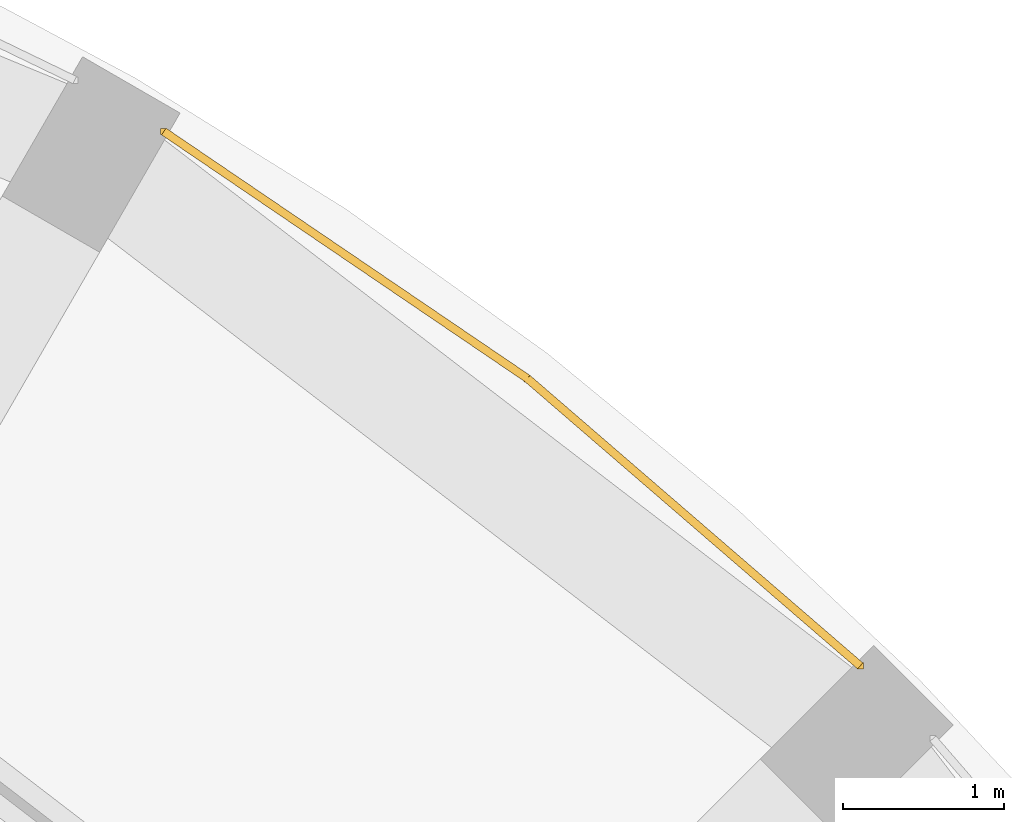
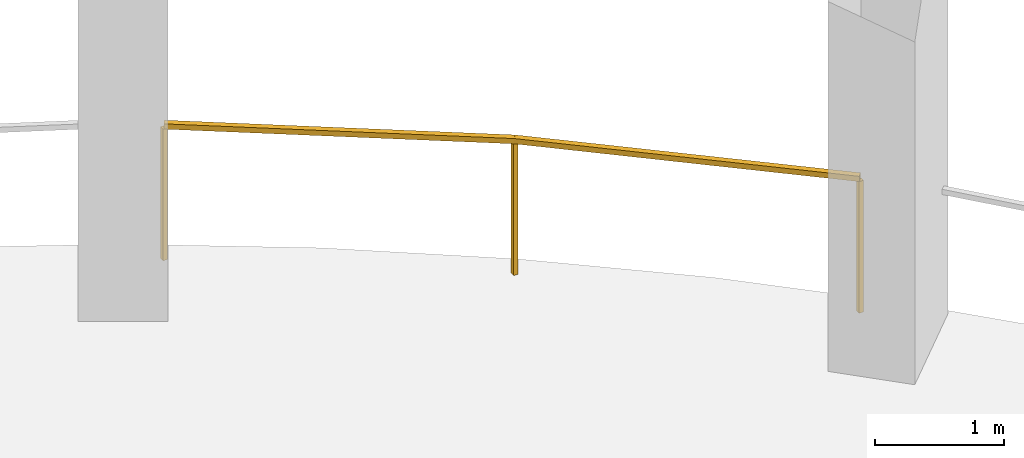
# One storey, part 8 of 8: 1 railing.
"""IFC4 building model written with IfcOpenShell, lengths in metres."""

from ifc_helpers import new_model, si_unit, direction, frame, origin, origin_2d, place, context, subcontext, project, spatial, rectangle, extrude, material, type_object, element, save


model = new_model("IFC4")

# Units and contexts
model_context = context("Model", 3, precision=1e-05, world=origin(), true_north=direction((0.0, 1.0)))
body_context = subcontext(model_context, "Body", "Model", "MODEL_VIEW")
ifc_project = project(units=[si_unit("LENGTHUNIT", "METRE"), si_unit("AREAUNIT", "SQUARE_METRE"), si_unit("VOLUMEUNIT", "CUBIC_METRE"), si_unit("PLANEANGLEUNIT", "RADIAN"), si_unit("MASSUNIT", "GRAM", prefix="KILO")], contexts=[model_context])

# Site, building, storey
site_placement = place(None, origin())
site = spatial("IfcSite", under=ifc_project, at=site_placement, CompositionType="ELEMENT")
building_placement = place(site_placement, origin())
building = spatial("IfcBuilding", under=site, at=building_placement, Name="Torre Triforio", CompositionType="ELEMENT")
storey_placement = place(building_placement, frame((0.0, 0.0, 203.89990234375)))
storey = spatial("IfcBuildingStorey", under=building, at=storey_placement, Name="L46", CompositionType="ELEMENT", Elevation=203.89990234375)

# Railing
ifc_material = material(Name="Stainless steel AISI 316", Category="steel")
railing_type = type_object("IfcRailingType", Name="Loggia guard 1300", PredefinedType="GUARDRAIL", material=ifc_material)
railing_placement = place(storey_placement, frame((16.28466796875, 16.7373046875, 0.0)))
element("IfcRailing", 1, at=railing_placement, inside=storey, type_object=railing_type, Name="Loggia guard L46 bay 04", PredefinedType="GUARDRAIL", context=body_context, shape_type="SweptSolid", body=[
    extrude(rectangle(XDim=0.050048828125, YDim=0.050048828125, at=origin_2d()), frame((0.0, 0.0, 1.27490234375), z_axis=(-0.756857127214, 0.653580361536, 0.0), x_axis=(-0.653580361536, -0.756857127214, 0.0)), (0.0, 0.0, 1.0), 2.735107421875),
    extrude(rectangle(XDim=0.050048828125, YDim=0.050048828125, at=origin_2d()), frame((-2.070068359375, 1.78759765625, 1.27490234375), z_axis=(-0.827198686069, 0.561909542334, 0.0), x_axis=(-0.561909542334, -0.827198686069, 0.0)), (0.0, 0.0, 1.0), 2.735107421875),
    extrude(rectangle(XDim=0.0400390625, YDim=0.0400390625, at=origin_2d()), origin(), (0.0, 0.0, 1.0), 1.25),
    extrude(rectangle(XDim=0.0400390625, YDim=0.0400390625, at=origin_2d()), frame((-2.070068359375, 1.78759765625, 0.0)), (0.0, 0.0, 1.0), 1.25),
    extrude(rectangle(XDim=0.0400390625, YDim=0.0400390625, at=origin_2d()), frame((-4.33251953125, 3.324462890625, 0.0)), (0.0, 0.0, 1.0), 1.25),
])

save(model, "model.ifc")
